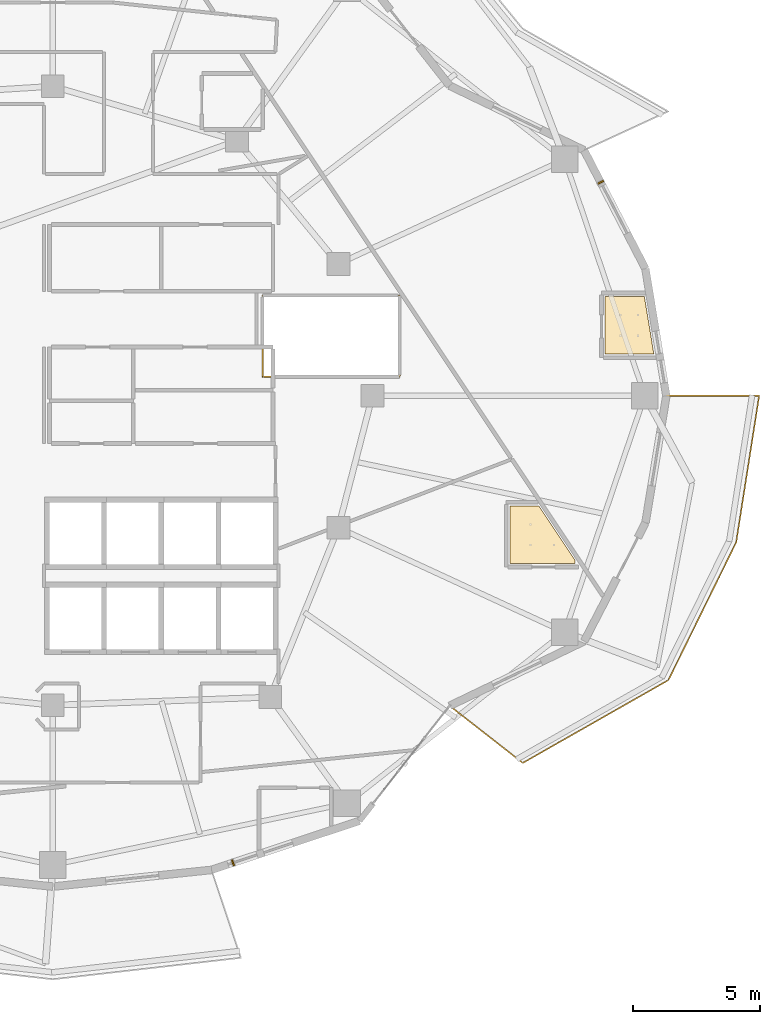
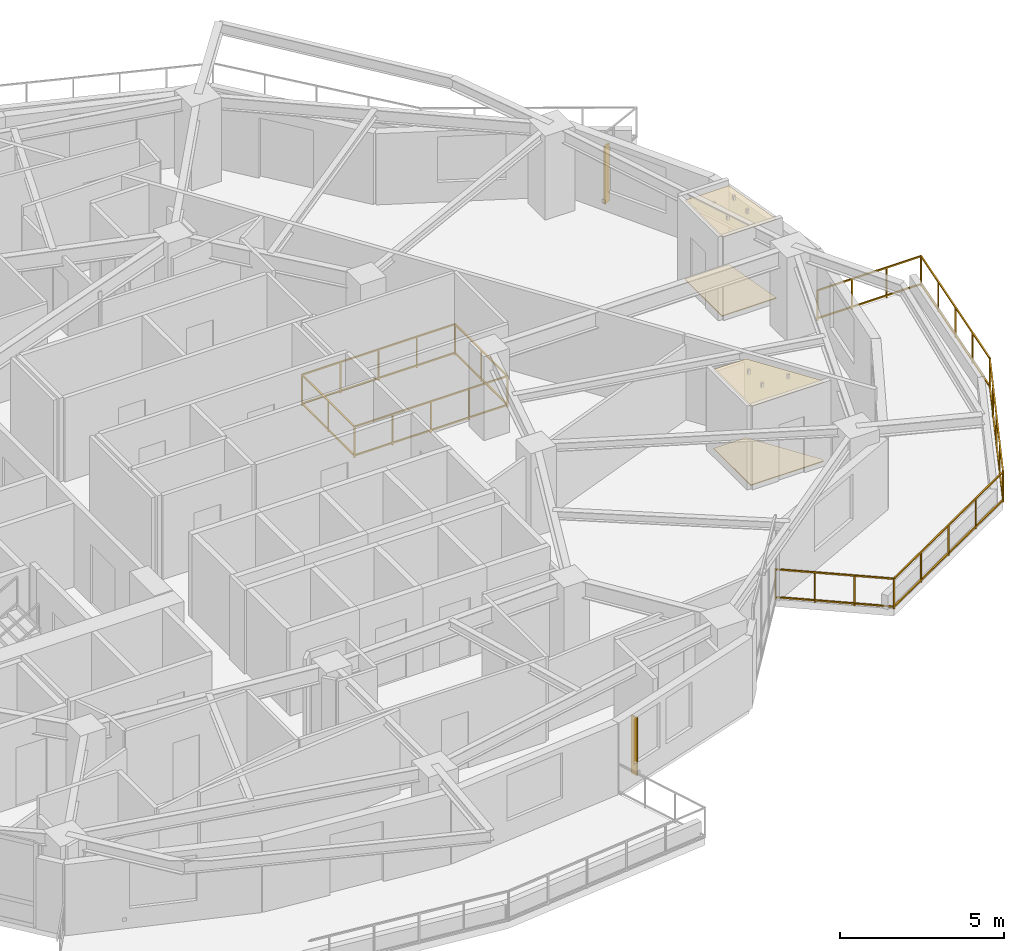
# One storey, part 17 of 18: 4 coverings, 2 railings, 2 shading devices.
"""IFC4 building model written with IfcOpenShell, lengths in metres."""

from ifc_helpers import new_model, si_unit, direction, frame, origin, origin_2d, place, context, subcontext, project, spatial, polyline, rectangle, outline, extrude, material, layer, layer_set, type_object, element, save


model = new_model("IFC4")

# Units and contexts
model_context = context("Model", 3, precision=1e-05, world=origin(), true_north=direction((0.0, 1.0)))
body_context = subcontext(model_context, "Body", "Model", "MODEL_VIEW")
ifc_project = project(units=[si_unit("LENGTHUNIT", "METRE"), si_unit("AREAUNIT", "SQUARE_METRE"), si_unit("VOLUMEUNIT", "CUBIC_METRE"), si_unit("PLANEANGLEUNIT", "RADIAN"), si_unit("MASSUNIT", "GRAM", prefix="KILO")], contexts=[model_context])

# Site, building, storey
site_placement = place(None, origin())
site = spatial("IfcSite", under=ifc_project, at=site_placement, CompositionType="ELEMENT")
building_placement = place(site_placement, origin())
building = spatial("IfcBuilding", under=site, at=building_placement, Name="Kolvaren Gate Tower and Convention Centre", CompositionType="ELEMENT")
storey_placement = place(building_placement, frame((0.0, 0.0, 108.699951171875)))
storey = spatial("IfcBuildingStorey", under=building, at=storey_placement, Name="L26", CompositionType="ELEMENT", Elevation=108.699951171875)

# Coverings
ifc_material_1 = material(Name="Perforated Mineral-Fibre Acoustic Ceiling Tile 18 mm", Category="gypsum")
ifc_layer_1 = layer(ifc_material_1, 0.01806640625)
ifc_layer_set_1 = layer_set([ifc_layer_1], Name="Perforated Mineral-Fibre Acoustic Ceiling Tile 18 mm")
covering_type_1 = type_object("IfcCoveringType", Name="ARCH-COV-CEIL-18", PredefinedType="CEILING", material=ifc_layer_set_1)
covering_1_placement = place(storey_placement, frame((0.0, 0.0, 2.949951171875)))
element("IfcCovering", 1, at=covering_1_placement, inside=storey, type_object=covering_type_1, Name="En-suite Bathroom (HTL-L26-03) Acoustic Suspended Ceiling", PredefinedType="CEILING", context=body_context, shape_type="SweptSolid", body=[
    extrude(outline(polyline([(50.7099609375, 20.389892578125), (48.139892578125, 20.389892578125), (48.139892578125, 22.659912109375), (49.279052734375, 22.659912109375), (50.7099609375, 20.512939453125), (50.7099609375, 20.389892578125)])), origin(), (0.0, 0.0, 1.0), 0.01806640625),
])
covering_2_placement = place(storey_placement, frame((0.0, 0.0, 2.949951171875)))
element("IfcCovering", 2, at=covering_2_placement, inside=storey, type_object=covering_type_1, Name="En-suite Bathroom (HTL-L26-05) Acoustic Suspended Ceiling", PredefinedType="CEILING", context=body_context, shape_type="SweptSolid", body=[
    extrude(outline(polyline([(51.889892578125, 28.639892578125), (51.889892578125, 30.909912109375), (53.446044921875, 30.909912109375), (53.820068359375, 28.639892578125), (51.889892578125, 28.639892578125)])), origin(), (0.0, 0.0, 1.0), 0.01806640625),
])
ifc_material_2 = material(Name="Honed Sabana Limestone Terrazzo Flooring 30 mm", Category="masonry")
ifc_layer_2 = layer(ifc_material_2, 0.030029296875)
ifc_layer_set_2 = layer_set([ifc_layer_2], Name="Honed Sabana Limestone Terrazzo Flooring 30 mm")
covering_type_2 = type_object("IfcCoveringType", Name="ARCH-COV-FLR-30", PredefinedType="FLOORING", material=ifc_layer_set_2)
covering_3_placement = place(storey_placement, origin())
element("IfcCovering", 3, at=covering_3_placement, inside=storey, type_object=covering_type_2, Name="En-suite Bathroom (HTL-L26-03) Interior Finish Flooring", PredefinedType="FLOORING", context=body_context, shape_type="SweptSolid", body=[
    extrude(outline(polyline([(50.7099609375, 20.389892578125), (48.139892578125, 20.389892578125), (48.139892578125, 22.659912109375), (49.279052734375, 22.659912109375), (50.7099609375, 20.512939453125), (50.7099609375, 20.389892578125)])), origin(), (0.0, 0.0, 1.0), 0.030029296875),
])
covering_4_placement = place(storey_placement, origin())
element("IfcCovering", 4, at=covering_4_placement, inside=storey, type_object=covering_type_2, Name="En-suite Bathroom (HTL-L26-05) Interior Finish Flooring", PredefinedType="FLOORING", context=body_context, shape_type="SweptSolid", body=[
    extrude(outline(polyline([(51.889892578125, 28.639892578125), (51.889892578125, 30.909912109375), (53.446044921875, 30.909912109375), (53.820068359375, 28.639892578125), (51.889892578125, 28.639892578125)])), origin(), (0.0, 0.0, 1.0), 0.030029296875),
])

# Railings
ifc_material_3 = material(Name="Laminated Tempered Safety Glass Balustrade 21.5 mm", Category="glass")
railing_type_1 = type_object("IfcRailingType", Name="ARCH-RL-BALUST-1180", PredefinedType="BALUSTRADE", material=ifc_material_3)
railing_1_placement = place(storey_placement, frame((38.39990234375, 27.75, 0.0)))
element("IfcRailing", 5, at=railing_1_placement, inside=storey, type_object=railing_type_1, Name="Tower L26 Atrium Void Safety Balustrade", PredefinedType="BALUSTRADE", context=body_context, shape_type="SweptSolid", body=[
    extrude(rectangle(XDim=0.048095703125, YDim=0.048095703125, at=origin_2d()), frame((0.028076171875, 0.0, 1.15576171875), z_axis=(1.0, 0.0, 0.0), x_axis=(0.0, 1.0, 0.0)), (0.0, 0.0, 1.0), 5.343994140625),
    extrude(rectangle(XDim=0.048095703125, YDim=0.048095703125, at=origin_2d()), frame((0.028076171875, 0.0, 0.083984375), z_axis=(1.0, 0.0, 0.0), x_axis=(0.0, 1.0, 0.0)), (0.0, 0.0, 1.0), 5.343994140625),
    extrude(rectangle(XDim=0.048095703125, YDim=0.048095703125, at=origin_2d()), frame((5.400146484375, 0.028076171875, 1.15576171875), z_axis=(0.0, 1.0, 0.0), x_axis=(-1.0, 0.0, 0.0)), (0.0, 0.0, 1.0), 3.143798828125),
    extrude(rectangle(XDim=0.048095703125, YDim=0.048095703125, at=origin_2d()), frame((5.400146484375, 0.028076171875, 0.083984375), z_axis=(0.0, 1.0, 0.0), x_axis=(-1.0, 0.0, 0.0)), (0.0, 0.0, 1.0), 3.143798828125),
    extrude(rectangle(XDim=0.048095703125, YDim=0.048095703125, at=origin_2d()), frame((5.3720703125, 3.199951171875, 1.15576171875), z_axis=(-1.0, 0.0, 0.0), x_axis=(0.0, -1.0, 0.0)), (0.0, 0.0, 1.0), 5.343994140625),
    extrude(rectangle(XDim=0.048095703125, YDim=0.048095703125, at=origin_2d()), frame((5.3720703125, 3.199951171875, 0.083984375), z_axis=(-1.0, 0.0, 0.0), x_axis=(0.0, -1.0, 0.0)), (0.0, 0.0, 1.0), 5.343994140625),
    extrude(rectangle(XDim=0.048095703125, YDim=0.048095703125, at=origin_2d()), frame((0.0, 3.171875, 1.15576171875), z_axis=(0.0, -1.0, 0.0), x_axis=(1.0, 0.0, 0.0)), (0.0, 0.0, 1.0), 3.143798828125),
    extrude(rectangle(XDim=0.048095703125, YDim=0.048095703125, at=origin_2d()), frame((0.0, 3.171875, 0.083984375), z_axis=(0.0, -1.0, 0.0), x_axis=(1.0, 0.0, 0.0)), (0.0, 0.0, 1.0), 3.143798828125),
    extrude(rectangle(XDim=0.0419921875, YDim=0.0419921875, at=origin_2d()), origin(), (0.0, 0.0, 1.0), 1.179931640625),
    extrude(rectangle(XDim=0.0419921875, YDim=0.0419921875, at=origin_2d()), frame((5.400146484375, 0.0, 0.0)), (0.0, 0.0, 1.0), 1.179931640625),
    extrude(rectangle(XDim=0.0419921875, YDim=0.0419921875, at=origin_2d()), frame((1.35009765625, 0.0, 0.0)), (0.0, 0.0, 1.0), 1.1298828125),
    extrude(rectangle(XDim=0.0419921875, YDim=0.0419921875, at=origin_2d()), frame((2.7001953125, 0.0, 0.0)), (0.0, 0.0, 1.0), 1.1298828125),
    extrude(rectangle(XDim=0.0419921875, YDim=0.0419921875, at=origin_2d()), frame((4.050048828125, 0.0, 0.0)), (0.0, 0.0, 1.0), 1.1298828125),
    extrude(rectangle(XDim=0.0419921875, YDim=0.0419921875, at=origin_2d()), frame((5.400146484375, 3.199951171875, 0.0)), (0.0, 0.0, 1.0), 1.179931640625),
    extrude(rectangle(XDim=0.0419921875, YDim=0.0419921875, at=origin_2d()), frame((5.400146484375, 1.60009765625, 0.0)), (0.0, 0.0, 1.0), 1.1298828125),
    extrude(rectangle(XDim=0.0419921875, YDim=0.0419921875, at=origin_2d()), frame((0.0, 3.199951171875, 0.0)), (0.0, 0.0, 1.0), 1.179931640625),
    extrude(rectangle(XDim=0.0419921875, YDim=0.0419921875, at=origin_2d()), frame((4.050048828125, 3.199951171875, 0.0)), (0.0, 0.0, 1.0), 1.1298828125),
    extrude(rectangle(XDim=0.0419921875, YDim=0.0419921875, at=origin_2d()), frame((2.7001953125, 3.199951171875, 0.0)), (0.0, 0.0, 1.0), 1.1298828125),
    extrude(rectangle(XDim=0.0419921875, YDim=0.0419921875, at=origin_2d()), frame((1.35009765625, 3.199951171875, 0.0)), (0.0, 0.0, 1.0), 1.1298828125),
    extrude(rectangle(XDim=0.0419921875, YDim=0.0419921875, at=origin_2d()), frame((0.0, 1.60009765625, 0.0)), (0.0, 0.0, 1.0), 1.1298828125),
])
ifc_material_4 = material(Name="Brushed Stainless Steel Grade 316L", Category="steel")
railing_type_2 = type_object("IfcRailingType", Name="ARCH-RL-GUARD-1150", PredefinedType="GUARDRAIL", material=ifc_material_4)
railing_2_placement = place(storey_placement, frame((45.768798828125, 14.777099609375, 0.0)))
element("IfcRailing", 6, at=railing_2_placement, inside=storey, type_object=railing_type_2, Name="Tower L26 Terrace Perimeter Guardrail GR-4", PredefinedType="GUARDRAIL", context=body_context, shape_type="SweptSolid", body=[
    extrude(rectangle(XDim=0.048095703125, YDim=0.048095703125, at=origin_2d()), frame((0.022216796875, -0.017333984375, 1.1259765625), z_axis=(0.787963688807, -0.615721710776, 0.0), x_axis=(0.615721710776, 0.787963688807, 0.0)), (0.0, 0.0, 1.0), 3.603759765625),
    extrude(rectangle(XDim=0.048095703125, YDim=0.048095703125, at=origin_2d()), frame((0.022216796875, -0.017333984375, 0.083984375), z_axis=(0.787963688807, -0.615721710776, 0.0), x_axis=(0.615721710776, 0.787963688807, 0.0)), (0.0, 0.0, 1.0), 3.603759765625),
    extrude(rectangle(XDim=0.048095703125, YDim=0.048095703125, at=origin_2d()), frame((2.908203125, -2.239501953125, 1.1259765625), z_axis=(0.869196694318, 0.494466486819, 0.0), x_axis=(-0.494466486819, 0.869196694318, 0.0)), (0.0, 0.0, 1.0), 6.55029296875),
    extrude(rectangle(XDim=0.048095703125, YDim=0.048095703125, at=origin_2d()), frame((2.908203125, -2.239501953125, 0.083984375), z_axis=(0.869196694318, 0.494466486819, 0.0), x_axis=(-0.494466486819, 0.869196694318, 0.0)), (0.0, 0.0, 1.0), 6.55029296875),
    extrude(rectangle(XDim=0.048095703125, YDim=0.048095703125, at=origin_2d()), frame((8.638427734375, 1.038330078125, 1.1259765625), z_axis=(0.441237167293, 0.897390529368, 0.0), x_axis=(-0.897390529368, 0.441237167293, 0.0)), (0.0, 0.0, 1.0), 5.999755859375),
    extrude(rectangle(XDim=0.048095703125, YDim=0.048095703125, at=origin_2d()), frame((8.638427734375, 1.038330078125, 0.083984375), z_axis=(0.441237167293, 0.897390529368, 0.0), x_axis=(-0.897390529368, 0.441237167293, 0.0)), (0.0, 0.0, 1.0), 5.999755859375),
    extrude(rectangle(XDim=0.048095703125, YDim=0.048095703125, at=origin_2d()), frame((11.302490234375, 6.475341796875, 1.1259765625), z_axis=(0.154903030247, 0.987929679289, 0.0), x_axis=(-0.987929679289, 0.154903030247, 0.0)), (0.0, 0.0, 1.0), 5.78955078125),
    extrude(rectangle(XDim=0.048095703125, YDim=0.048095703125, at=origin_2d()), frame((11.302490234375, 6.475341796875, 0.083984375), z_axis=(0.154903030247, 0.987929679289, 0.0), x_axis=(-0.987929679289, 0.154903030247, 0.0)), (0.0, 0.0, 1.0), 5.78955078125),
    extrude(rectangle(XDim=0.048095703125, YDim=0.048095703125, at=origin_2d()), frame((12.175537109375, 12.222900390625, 1.1259765625), z_axis=(-1.0, 0.0, 0.0), x_axis=(0.0, -1.0, 0.0)), (0.0, 0.0, 1.0), 3.603759765625),
    extrude(rectangle(XDim=0.048095703125, YDim=0.048095703125, at=origin_2d()), frame((12.175537109375, 12.222900390625, 0.083984375), z_axis=(-1.0, 0.0, 0.0), x_axis=(0.0, -1.0, 0.0)), (0.0, 0.0, 1.0), 3.603759765625),
    extrude(rectangle(XDim=0.0419921875, YDim=0.0419921875, at=origin_2d()), origin(), (0.0, 0.0, 1.0), 1.14990234375),
    extrude(rectangle(XDim=0.0419921875, YDim=0.0419921875, at=origin_2d()), frame((2.8837890625, -2.25341796875, 0.0)), (0.0, 0.0, 1.0), 1.14990234375),
    extrude(rectangle(XDim=0.0419921875, YDim=0.0419921875, at=origin_2d()), frame((0.961181640625, -0.751220703125, 0.0)), (0.0, 0.0, 1.0), 1.099853515625),
    extrude(rectangle(XDim=0.0419921875, YDim=0.0419921875, at=origin_2d()), frame((1.922607421875, -1.502197265625, 0.0)), (0.0, 0.0, 1.0), 1.099853515625),
    extrude(rectangle(XDim=0.0419921875, YDim=0.0419921875, at=origin_2d()), frame((8.6259765625, 1.01318359375, 0.0)), (0.0, 0.0, 1.0), 1.14990234375),
    extrude(rectangle(XDim=0.0419921875, YDim=0.0419921875, at=origin_2d()), frame((4.3193359375, -1.436767578125, 0.0)), (0.0, 0.0, 1.0), 1.099853515625),
    extrude(rectangle(XDim=0.0419921875, YDim=0.0419921875, at=origin_2d()), frame((5.7548828125, -0.6201171875, 0.0)), (0.0, 0.0, 1.0), 1.099853515625),
    extrude(rectangle(XDim=0.0419921875, YDim=0.0419921875, at=origin_2d()), frame((7.1904296875, 0.196533203125, 0.0)), (0.0, 0.0, 1.0), 1.099853515625),
    extrude(rectangle(XDim=0.0419921875, YDim=0.0419921875, at=origin_2d()), frame((11.298095703125, 6.44775390625, 0.0)), (0.0, 0.0, 1.0), 1.14990234375),
    extrude(rectangle(XDim=0.0419921875, YDim=0.0419921875, at=origin_2d()), frame((9.2939453125, 2.371826171875, 0.0)), (0.0, 0.0, 1.0), 1.099853515625),
    extrude(rectangle(XDim=0.0419921875, YDim=0.0419921875, at=origin_2d()), frame((9.9619140625, 3.73046875, 0.0)), (0.0, 0.0, 1.0), 1.099853515625),
    extrude(rectangle(XDim=0.0419921875, YDim=0.0419921875, at=origin_2d()), frame((10.630126953125, 5.089111328125, 0.0)), (0.0, 0.0, 1.0), 1.099853515625),
    extrude(rectangle(XDim=0.0419921875, YDim=0.0419921875, at=origin_2d()), frame((12.20361328125, 12.222900390625, 0.0)), (0.0, 0.0, 1.0), 1.14990234375),
    extrude(rectangle(XDim=0.0419921875, YDim=0.0419921875, at=origin_2d()), frame((11.5244140625, 7.8916015625, 0.0)), (0.0, 0.0, 1.0), 1.099853515625),
    extrude(rectangle(XDim=0.0419921875, YDim=0.0419921875, at=origin_2d()), frame((11.7509765625, 9.33544921875, 0.0)), (0.0, 0.0, 1.0), 1.099853515625),
    extrude(rectangle(XDim=0.0419921875, YDim=0.0419921875, at=origin_2d()), frame((11.977294921875, 10.779052734375, 0.0)), (0.0, 0.0, 1.0), 1.099853515625),
    extrude(rectangle(XDim=0.0419921875, YDim=0.0419921875, at=origin_2d()), frame((8.543701171875, 12.222900390625, 0.0)), (0.0, 0.0, 1.0), 1.14990234375),
    extrude(rectangle(XDim=0.0419921875, YDim=0.0419921875, at=origin_2d()), frame((10.983642578125, 12.222900390625, 0.0)), (0.0, 0.0, 1.0), 1.099853515625),
    extrude(rectangle(XDim=0.0419921875, YDim=0.0419921875, at=origin_2d()), frame((9.763671875, 12.222900390625, 0.0)), (0.0, 0.0, 1.0), 1.099853515625),
])

# Shading devices
ifc_material_5 = material(Name="Kiln-Fired Bogota Terracotta Ceramic Louvre Profile", Category="masonry")
shading_device_type = type_object("IfcShadingDeviceType", Name="ARCH-SHD-FIN-180", PredefinedType="JALOUSIE", material=ifc_material_5)
for number, where, z_axis, x_axis, name in (
    (7, (51.72412109375, 35.415771484375, 0.22021484375), (0.0, 0.0, 1.0), (0.459781360558, -0.888032150591, 0.0), "Ceramic Vertical Brise-Soleil Fin FN-L26-01"),
    (8, (37.22998046875, 8.58935546875, 0.22021484375), (0.0, 0.0, 1.0), (0.949240081615, 0.314552487599, 0.0), "Ceramic Vertical Brise-Soleil Fin FN-L26-19"),
):
    element("IfcShadingDevice", number, at=place(storey_placement, frame(where, z_axis=z_axis, x_axis=x_axis)), inside=storey, type_object=shading_device_type, Name=name, PredefinedType="JALOUSIE", context=body_context, shape_type="SweptSolid", body=[
        extrude(rectangle(XDim=0.06005859375, YDim=0.239990234375, at=origin_2d()), origin(), (0.0, 0.0, 1.0), 2.14990234375),
    ])

save(model, "model.ifc")
